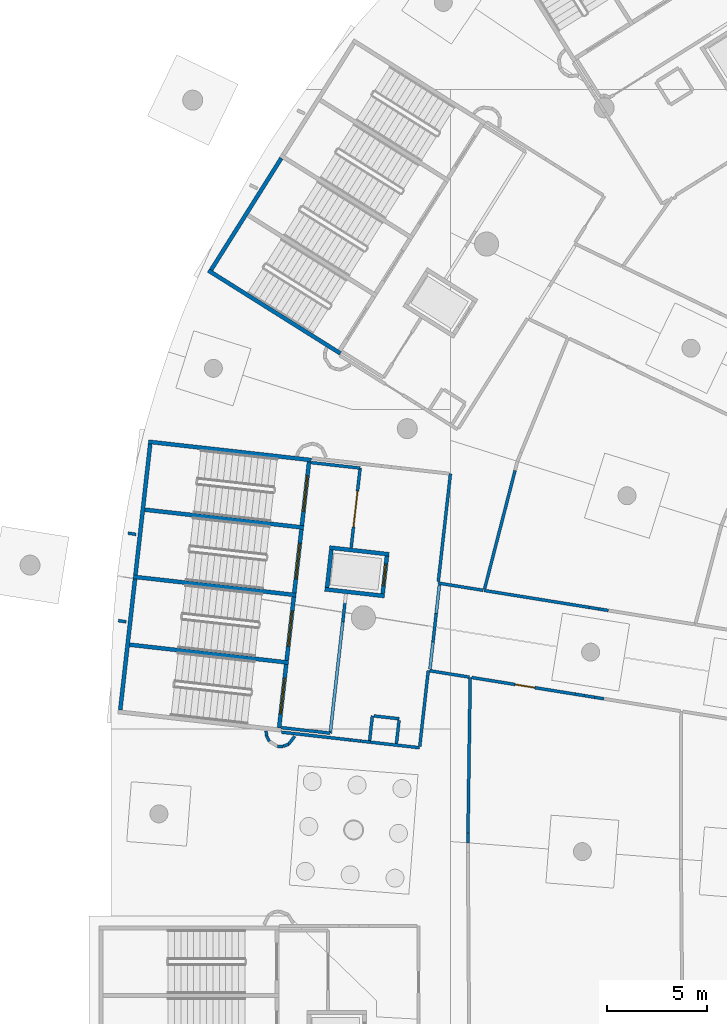
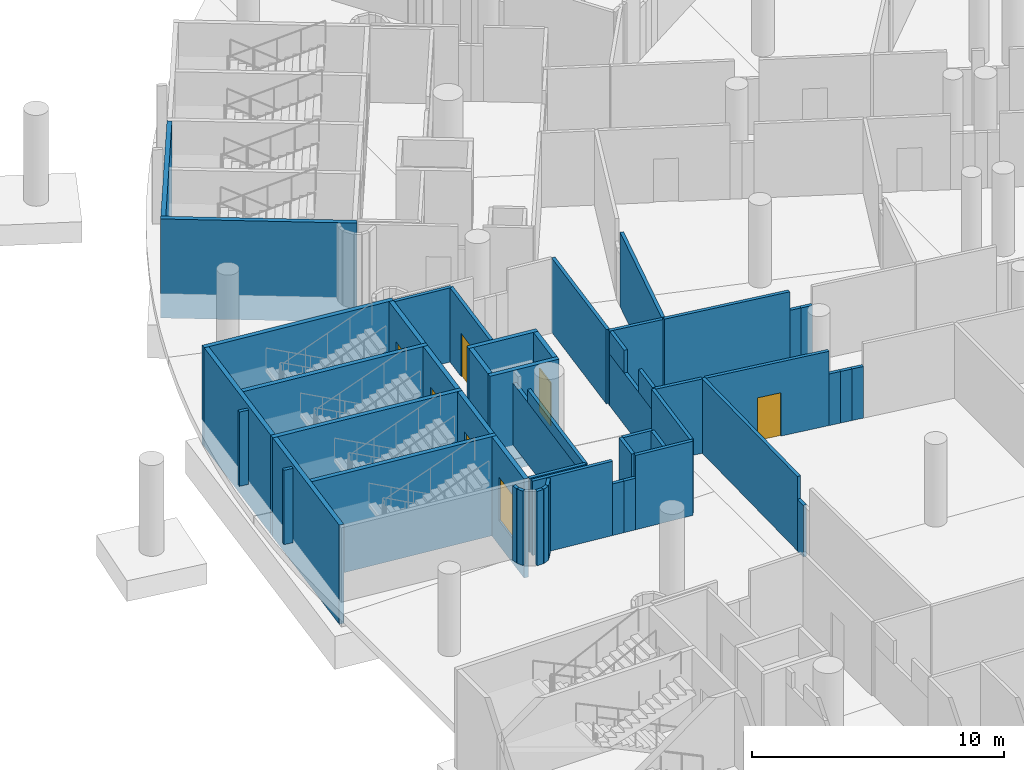
# One storey, part 68 of 142: 52 walls, 7 doors, 7 openings.
"""IFC4 building model written with IfcOpenShell, lengths in metres."""

from ifc_helpers import new_model, si_unit, direction, frame, frame_2d, origin, place, context, subcontext, project, spatial, rectangle, extrude, material, layer, layer_set, type_object, element, fill, save


model = new_model("IFC4")

# Units and contexts
model_context = context("Model", 3, precision=1e-05, world=origin(), true_north=direction((0.0, 1.0)))
body_context = subcontext(model_context, "Body", "Model", "MODEL_VIEW")
ifc_project = project(units=[si_unit("LENGTHUNIT", "METRE"), si_unit("AREAUNIT", "SQUARE_METRE"), si_unit("VOLUMEUNIT", "CUBIC_METRE"), si_unit("PLANEANGLEUNIT", "RADIAN"), si_unit("MASSUNIT", "GRAM", prefix="KILO")], contexts=[model_context])

# Site, building, storey
site_placement = place(None, origin())
site = spatial("IfcSite", under=ifc_project, at=site_placement, CompositionType="ELEMENT")
building_placement = place(site_placement, origin())
building = spatial("IfcBuilding", under=site, at=building_placement, Name="Meseta Stadium", CompositionType="ELEMENT")
storey_placement = place(building_placement, frame((0.0, 0.0, -4.0)))
storey = spatial("IfcBuildingStorey", under=building, at=storey_placement, Name="B1", CompositionType="ELEMENT", Elevation=-4.0)

# Walls
ifc_material_1 = material(Name="Concrete C40/50", Category="concrete")
ifc_layer_1 = layer(ifc_material_1, 0.199951171875)
ifc_layer_set_1 = layer_set([ifc_layer_1], Name="Core divider wall 200")
wall_type_1 = type_object("IfcWallType", Name="Core divider wall 200", PredefinedType="SHEAR", material=ifc_layer_set_1)
wall_1_placement = place(storey_placement, frame((-95.503662109375, 58.999267578125, -1.199951171875), z_axis=(0.0, 0.0, 1.0), x_axis=(0.993710792168, -0.111977058046, 0.0)))
element("IfcWall", 1, at=wall_1_placement, inside=storey, type_object=wall_type_1, Name="Core 15 B1 stair A divider wall", PredefinedType="SHEAR", context=body_context, shape_type="SweptSolid", body=[
    extrude(rectangle(XDim=8.199951171875, YDim=0.199951171875, at=frame_2d((4.10009765625, 0.0))), origin(), (0.0, 0.0, 1.0), 4.800048828125),
])
wall_2_placement = place(storey_placement, frame((-96.264892578125, 52.241943359375, -1.199951171875), z_axis=(0.0, 0.0, 1.0), x_axis=(0.993713731549, -0.111950970206, 0.0)))
element("IfcWall", 2, at=wall_2_placement, inside=storey, type_object=wall_type_1, Name="Core 15 B1 stair B divider wall", PredefinedType="SHEAR", context=body_context, shape_type="SweptSolid", body=[
    extrude(rectangle(XDim=8.19970703125, YDim=0.199951171875, at=frame_2d((4.099853515625, 0.0))), origin(), (0.0, 0.0, 1.0), 4.800048828125),
])
ifc_material_2 = material(Name="Concrete C40/50", Category="concrete")
ifc_layer_2 = layer(ifc_material_2, 0.199951171875)
ifc_layer_set_2 = layer_set([ifc_layer_2], Name="Core shaft wall 200")
wall_type_2 = type_object("IfcWallType", Name="Core shaft wall 200", PredefinedType="SHEAR", material=ifc_layer_set_2)
wall_3_placement = place(storey_placement, frame((-92.123291015625, 70.9501953125, -1.199951171875), z_axis=(0.0, 0.0, 1.0), x_axis=(0.846722763703, -0.532034361135, 0.0)))
element("IfcWall", 3, at=wall_3_placement, inside=storey, type_object=wall_type_2, Name="Core 14 B1 stair wall B-side", PredefinedType="SHEAR", context=body_context, shape_type="SweptSolid", body=[
    extrude(rectangle(XDim=7.800048828125, YDim=0.199951171875, at=frame_2d((3.89990234375, 0.0))), origin(), (0.0, 0.0, 1.0), 4.800048828125),
])
wall_4_placement = place(storey_placement, frame((-88.47412109375, 76.570068359375, -1.199951171875), z_axis=(0.0, 0.0, 1.0), x_axis=(-0.532038964807, -0.846719870989, 0.0)))
element("IfcWall", 4, at=wall_4_placement, inside=storey, type_object=wall_type_2, Name="Core 14 B1 stair B outer end wall", PredefinedType="SHEAR", context=body_context, shape_type="SweptSolid", body=[
    extrude(rectangle(XDim=6.60009765625, YDim=0.199951171875, at=frame_2d((3.300048828125, 0.0))), origin(), (0.0, 0.0, 1.0), 4.800048828125),
])
wall_5_placement = place(storey_placement, frame((-95.123046875, 62.3779296875, -1.199951171875), z_axis=(0.0, 0.0, 1.0), x_axis=(0.993710792168, -0.111977058046, 0.0)))
element("IfcWall", 5, at=wall_5_placement, inside=storey, type_object=wall_type_2, Name="Core 15 B1 stair wall A-side", PredefinedType="SHEAR", context=body_context, shape_type="SweptSolid", body=[
    extrude(rectangle(XDim=8.199951171875, YDim=0.199951171875, at=frame_2d((4.10009765625, 0.0))), origin(), (0.0, 0.0, 1.0), 4.800048828125),
])
wall_6_placement = place(storey_placement, frame((-95.884521484375, 55.62060546875, -1.199951171875), z_axis=(0.0, 0.0, 1.0), x_axis=(0.993711165474, -0.111973745194, 0.0)))
element("IfcWall", 6, at=wall_6_placement, inside=storey, type_object=wall_type_2, Name="Core 15 B1 stair wall shared", PredefinedType="SHEAR", context=body_context, shape_type="SweptSolid", body=[
    extrude(rectangle(XDim=8.2001953125, YDim=0.199951171875, at=frame_2d((4.10009765625, 0.0))), origin(), (0.0, 0.0, 1.0), 4.800048828125),
])
for number, where, z_axis, x_axis, name in (
    (7, (-95.034912109375, 62.267333984375, -1.199951171875), (0.0, 0.0, 1.0), (-0.111933579504, -0.993715690617, 0.0), "Core 15 B1 stair A outer end wall"),
    (8, (-95.796142578125, 55.510009765625, -1.199951171875), (0.0, 0.0, 1.0), (-0.111970106426, -0.993711575492, 0.0), "Core 15 B1 stair B outer end wall"),
):
    element("IfcWall", number, at=place(storey_placement, frame(where, z_axis=z_axis, x_axis=x_axis)), inside=storey, type_object=wall_type_2, Name=name, PredefinedType="SHEAR", context=body_context, shape_type="SweptSolid", body=[
        extrude(rectangle(XDim=6.60009765625, YDim=0.199951171875, at=frame_2d((3.300048828125, 0.0))), origin(), (0.0, 0.0, 1.0), 4.800048828125),
    ])

# Wall, opening, door
wall_7_placement = place(storey_placement, frame((-87.085205078125, 61.37158203125, -1.199951171875), z_axis=(0.0, 0.0, 1.0), x_axis=(-0.11192190762, -0.993717005286, 0.0)))
wall_7 = element("IfcWall", 9, at=wall_7_placement, inside=storey, type_object=wall_type_2, Name="Core 15 B1 stair A1 inner end wall", PredefinedType="SHEAR", context=body_context, shape_type="SweptSolid", body=[
    extrude(rectangle(XDim=3.199951171875, YDim=0.199951171875, at=frame_2d((1.60009765625, 0.0))), origin(), (0.0, 0.0, 1.0), 4.800048828125),
])
opening_1_placement = place(wall_7_placement, frame((0.699951171875, 0.0, 1.199951171875)))
opening_1 = element("IfcOpeningElement", 10, at=opening_1_placement, cuts=wall_7, Name="Opening D199", PredefinedType="OPENING", context=body_context, shape_type="SweptSolid", body=[
    extrude(rectangle(XDim=1.800048828125, YDim=2.10009765625, at=frame_2d((0.89990234375, 1.050048828125))), frame((0.0, 0.10986328125, 0.0), z_axis=(0.0, -1.0, 0.0), x_axis=(1.0, 0.0, 0.0)), (0.0, 0.0, 1.0), 0.219970703125),
])
ifc_material_3 = material(Name="Steel", Category="steel")
door_type_1 = type_object("IfcDoorType", Name="Stair door 1800x2100", OperationType="DOUBLE_DOOR_SINGLE_SWING", PredefinedType="DOOR", material=ifc_material_3)
door_1_placement = place(opening_1_placement, origin())
door_1 = element("IfcDoor", 11, at=door_1_placement, inside=storey, type_object=door_type_1, Name="Stair A1 door 15 B1", OperationType="DOUBLE_DOOR_SINGLE_SWING", OverallHeight=2.10009765625, OverallWidth=1.800048828125, PredefinedType="DOOR", context=body_context, shape_type="SweptSolid", body=[
    extrude(rectangle(XDim=1.800048828125, YDim=2.10009765625, at=frame_2d((0.89990234375, 1.050048828125))), frame((0.0, 0.02490234375, 0.0), z_axis=(0.0, -1.0, 0.0), x_axis=(1.0, 0.0, 0.0)), (0.0, 0.0, 1.0), 0.050048828125),
])
fill(opening_1, door_1)

wall_8_placement = place(storey_placement, frame((-87.4658203125, 57.992919921875, -1.199951171875), z_axis=(0.0, 0.0, 1.0), x_axis=(-0.111997244021, -0.993708517288, 0.0)))
wall_8 = element("IfcWall", 12, at=wall_8_placement, inside=storey, type_object=wall_type_2, Name="Core 15 B1 stair A2 inner end wall", PredefinedType="SHEAR", context=body_context, shape_type="SweptSolid", body=[
    extrude(rectangle(XDim=3.199951171875, YDim=0.199951171875, at=frame_2d((1.60009765625, 0.0))), origin(), (0.0, 0.0, 1.0), 4.800048828125),
])
opening_2_placement = place(wall_8_placement, frame((0.699951171875, 0.0, 1.199951171875)))
opening_2 = element("IfcOpeningElement", 13, at=opening_2_placement, cuts=wall_8, Name="Opening D200", PredefinedType="OPENING", context=body_context, shape_type="SweptSolid", body=[
    extrude(rectangle(XDim=1.800048828125, YDim=2.10009765625, at=frame_2d((0.89990234375, 1.050048828125))), frame((0.0, 0.10986328125, 0.0), z_axis=(0.0, -1.0, 0.0), x_axis=(1.0, 0.0, 0.0)), (0.0, 0.0, 1.0), 0.219970703125),
])
door_2_placement = place(opening_2_placement, origin())
door_2 = element("IfcDoor", 14, at=door_2_placement, inside=storey, type_object=door_type_1, Name="Stair A2 door 15 B1", OperationType="DOUBLE_DOOR_SINGLE_SWING", OverallHeight=2.10009765625, OverallWidth=1.800048828125, PredefinedType="DOOR", context=body_context, shape_type="SweptSolid", body=[
    extrude(rectangle(XDim=1.800048828125, YDim=2.10009765625, at=frame_2d((0.89990234375, 1.050048828125))), frame((0.0, 0.02490234375, 0.0), z_axis=(0.0, -1.0, 0.0), x_axis=(1.0, 0.0, 0.0)), (0.0, 0.0, 1.0), 0.050048828125),
])
fill(opening_2, door_2)

wall_9_placement = place(storey_placement, frame((-87.846435546875, 54.6142578125, -1.199951171875), z_axis=(0.0, 0.0, 1.0), x_axis=(-0.112005735442, -0.993707560215, 0.0)))
wall_9 = element("IfcWall", 15, at=wall_9_placement, inside=storey, type_object=wall_type_2, Name="Core 15 B1 stair B1 inner end wall", PredefinedType="SHEAR", context=body_context, shape_type="SweptSolid", body=[
    extrude(rectangle(XDim=3.19970703125, YDim=0.199951171875, at=frame_2d((1.599853515625, 0.0))), origin(), (0.0, 0.0, 1.0), 4.800048828125),
])
opening_3_placement = place(wall_9_placement, frame((0.699951171875, 0.0, 1.199951171875)))
opening_3 = element("IfcOpeningElement", 16, at=opening_3_placement, cuts=wall_9, Name="Opening D201", PredefinedType="OPENING", context=body_context, shape_type="SweptSolid", body=[
    extrude(rectangle(XDim=1.800048828125, YDim=2.10009765625, at=frame_2d((0.89990234375, 1.050048828125))), frame((0.0, 0.10986328125, 0.0), z_axis=(0.0, -1.0, 0.0), x_axis=(1.0, 0.0, 0.0)), (0.0, 0.0, 1.0), 0.219970703125),
])
door_3_placement = place(opening_3_placement, origin())
door_3 = element("IfcDoor", 17, at=door_3_placement, inside=storey, type_object=door_type_1, Name="Stair B1 door 15 B1", OperationType="DOUBLE_DOOR_SINGLE_SWING", OverallHeight=2.10009765625, OverallWidth=1.800048828125, PredefinedType="DOOR", context=body_context, shape_type="SweptSolid", body=[
    extrude(rectangle(XDim=1.800048828125, YDim=2.10009765625, at=frame_2d((0.89990234375, 1.050048828125))), frame((0.0, 0.02490234375, 0.0), z_axis=(0.0, -1.0, 0.0), x_axis=(1.0, 0.0, 0.0)), (0.0, 0.0, 1.0), 0.050048828125),
])
fill(opening_3, door_3)

wall_10_placement = place(storey_placement, frame((-88.227294921875, 51.235595703125, -1.199951171875), z_axis=(0.0, 0.0, 1.0), x_axis=(-0.111930393474, -0.993716049491, 0.0)))
wall_10 = element("IfcWall", 18, at=wall_10_placement, inside=storey, type_object=wall_type_2, Name="Core 15 B1 stair B2 inner end wall", PredefinedType="SHEAR", context=body_context, shape_type="SweptSolid", body=[
    extrude(rectangle(XDim=3.19970703125, YDim=0.199951171875, at=frame_2d((1.599853515625, 0.0))), origin(), (0.0, 0.0, 1.0), 4.800048828125),
])
opening_4_placement = place(wall_10_placement, frame((0.699951171875, 0.0, 1.199951171875)))
opening_4 = element("IfcOpeningElement", 19, at=opening_4_placement, cuts=wall_10, Name="Opening D202", PredefinedType="OPENING", context=body_context, shape_type="SweptSolid", body=[
    extrude(rectangle(XDim=1.800048828125, YDim=2.10009765625, at=frame_2d((0.89990234375, 1.050048828125))), frame((0.0, 0.10986328125, 0.0), z_axis=(0.0, -1.0, 0.0), x_axis=(1.0, 0.0, 0.0)), (0.0, 0.0, 1.0), 0.219970703125),
])
door_4_placement = place(opening_4_placement, origin())
door_4 = element("IfcDoor", 20, at=door_4_placement, inside=storey, type_object=door_type_1, Name="Stair B2 door 15 B1", OperationType="DOUBLE_DOOR_SINGLE_SWING", OverallHeight=2.10009765625, OverallWidth=1.800048828125, PredefinedType="DOOR", context=body_context, shape_type="SweptSolid", body=[
    extrude(rectangle(XDim=1.800048828125, YDim=2.10009765625, at=frame_2d((0.89990234375, 1.050048828125))), frame((0.0, 0.02490234375, 0.0), z_axis=(0.0, -1.0, 0.0), x_axis=(1.0, 0.0, 0.0)), (0.0, 0.0, 1.0), 0.050048828125),
])
fill(opening_4, door_4)

# Walls
for number, where, z_axis, x_axis, name in (
    (21, (-86.05908203125, 57.07958984375, -1.199951171875), (0.0, 0.0, 1.0), (0.993718878013, -0.111905279056, 0.0), "Core 15 B1 lift shaft wall left"),
    (22, (-86.294189453125, 54.992919921875, -1.199951171875), (0.0, 0.0, 1.0), (0.993709824566, -0.111985644439, 0.0), "Core 15 B1 lift shaft wall right"),
):
    element("IfcWall", number, at=place(storey_placement, frame(where, z_axis=z_axis, x_axis=x_axis)), inside=storey, type_object=wall_type_2, Name=name, PredefinedType="SHEAR", context=body_context, shape_type="SweptSolid", body=[
        extrude(rectangle(XDim=2.999755859375, YDim=0.199951171875, at=frame_2d((1.5, 0.0))), origin(), (0.0, 0.0, 1.0), 4.800048828125),
    ])
wall_11_placement = place(storey_placement, frame((-85.970947265625, 56.96923828125, -1.199951171875), z_axis=(0.0, 0.0, 1.0), x_axis=(-0.112039012324, -0.993703808847, 0.0)))
element("IfcWall", 23, at=wall_11_placement, inside=storey, type_object=wall_type_2, Name="Core 15 B1 lift shaft back wall", PredefinedType="SHEAR", context=body_context, shape_type="SweptSolid", body=[
    extrude(rectangle(XDim=1.900146484375, YDim=0.199951171875, at=frame_2d((0.9501953125, 0.0))), origin(), (0.0, 0.0, 1.0), 4.800048828125),
])

# Wall, opening, door
wall_12_placement = place(storey_placement, frame((-83.188720703125, 56.65576171875, -1.199951171875), z_axis=(0.0, 0.0, 1.0), x_axis=(-0.11191213732, -0.993718105662, 0.0)))
wall_12 = element("IfcWall", 24, at=wall_12_placement, inside=storey, type_object=wall_type_2, Name="Core 15 B1 lift shaft front wall", PredefinedType="SHEAR", context=body_context, shape_type="SweptSolid", body=[
    extrude(rectangle(XDim=1.900146484375, YDim=0.199951171875, at=frame_2d((0.9501953125, 0.0))), origin(), (0.0, 0.0, 1.0), 4.800048828125),
])
opening_5_placement = place(wall_12_placement, frame((0.39990234375, 0.0, 1.199951171875)))
opening_5 = element("IfcOpeningElement", 25, at=opening_5_placement, cuts=wall_12, Name="Opening LD79", PredefinedType="OPENING", context=body_context, shape_type="SweptSolid", body=[
    extrude(rectangle(XDim=1.10009765625, YDim=2.10009765625, at=frame_2d((0.550048828125, 1.050048828125))), frame((0.0, 0.10986328125, 0.0), z_axis=(0.0, -1.0, 0.0), x_axis=(1.0, 0.0, 0.0)), (0.0, 0.0, 1.0), 0.219970703125),
])
ifc_material_4 = material(Name="Steel", Category="steel")
door_type_2 = type_object("IfcDoorType", Name="Lift landing door 1100x2100", OperationType="SLIDING_TO_LEFT", PredefinedType="DOOR", material=ifc_material_4)
door_5_placement = place(opening_5_placement, origin())
door_5 = element("IfcDoor", 26, at=door_5_placement, inside=storey, type_object=door_type_2, Name="Lift landing door LD79", OperationType="SLIDING_TO_LEFT", OverallHeight=2.10009765625, OverallWidth=1.10009765625, PredefinedType="DOOR", context=body_context, shape_type="SweptSolid", body=[
    extrude(rectangle(XDim=1.10009765625, YDim=2.10009765625, at=frame_2d((0.550048828125, 1.050048828125))), frame((0.0, 0.02490234375, 0.0), z_axis=(0.0, -1.0, 0.0), x_axis=(1.0, 0.0, 0.0)), (0.0, 0.0, 1.0), 0.050048828125),
])
fill(opening_5, door_5)

# Walls
ifc_material_5 = material(Name="Masonry blockwork", Category="masonry")
ifc_layer_3 = layer(ifc_material_5, 0.14990234375)
ifc_layer_set_3 = layer_set([ifc_layer_3], Name="Partition 150")
wall_type_3 = type_object("IfcWallType", Name="Partition 150", PredefinedType="PARTITIONING", material=ifc_layer_set_3)
wall_13_placement = place(storey_placement, frame((-72.106201171875, 53.932861328125, 0.0), z_axis=(0.0, 0.0, 1.0), x_axis=(-0.987292235335, 0.15891520395, 0.0)))
element("IfcWall", 27, at=wall_13_placement, inside=storey, type_object=wall_type_3, Name="Partition B1 B1-cell13-2-0", PredefinedType="PARTITIONING", context=body_context, shape_type="SweptSolid", body=[
    extrude(rectangle(XDim=0.48388671875, YDim=0.14990234375, at=frame_2d((0.241943359375, 0.0))), origin(), (0.0, 0.0, 1.0), 2.699951171875),
])
wall_14_placement = place(storey_placement, frame((-72.583984375, 54.009765625, 0.0), z_axis=(0.0, 0.0, 1.0), x_axis=(-0.987225775326, 0.159327551074, 0.0)))
element("IfcWall", 28, at=wall_14_placement, inside=storey, type_object=wall_type_3, Name="Partition B1 B1-cell13-2-0", PredefinedType="PARTITIONING", context=body_context, shape_type="SweptSolid", body=[
    extrude(rectangle(XDim=0.484130859375, YDim=0.14990234375, at=frame_2d((0.2421875, 0.0))), origin(), (0.0, 0.0, 1.0), 2.699951171875),
])
wall_15_placement = place(storey_placement, frame((-73.06201171875, 54.0869140625, 0.0), z_axis=(0.0, 0.0, 1.0), x_axis=(-0.987277597681, 0.159006116601, 0.0)))
element("IfcWall", 29, at=wall_15_placement, inside=storey, type_object=wall_type_3, Name="Partition B1 B1-cell13-2-0", PredefinedType="PARTITIONING", context=body_context, shape_type="SweptSolid", body=[
    extrude(rectangle(XDim=5.32470703125, YDim=0.14990234375, at=frame_2d((2.662353515625, 0.0))), origin(), (0.0, 0.0, 1.0), 3.60009765625),
])
wall_16_placement = place(storey_placement, frame((-78.300537109375, 55.00634765625, 0.0), z_axis=(0.0, 0.0, 1.0), x_axis=(0.249144697435, 0.968466271865, 0.0)))
element("IfcWall", 30, at=wall_16_placement, inside=storey, type_object=wall_type_3, Name="Partition B1 B1-cell13-2-0", PredefinedType="PARTITIONING", context=body_context, shape_type="SweptSolid", body=[
    extrude(rectangle(XDim=6.12255859375, YDim=0.14990234375, at=frame_2d((3.061279296875, 0.0))), origin(), (0.0, 0.0, 1.0), 3.60009765625),
])
wall_17_placement = place(storey_placement, frame((-95.74609375, 57.740234375, 0.0), z_axis=(0.0, 0.0, 1.0), x_axis=(-0.987315049766, 0.15877339987, 0.0)))
element("IfcWall", 31, at=wall_17_placement, inside=storey, type_object=wall_type_3, Name="Partition B1 B1-cell13-3-0", PredefinedType="PARTITIONING", context=body_context, shape_type="SweptSolid", body=[
    extrude(rectangle(XDim=0.4013671875, YDim=0.14990234375, at=frame_2d((0.20068359375, 0.0))), origin(), (0.0, 0.0, 1.0), 3.60009765625),
])
wall_18_placement = place(storey_placement, frame((-78.36865234375, 54.94140625, 0.0), z_axis=(0.0, 0.0, 1.0), x_axis=(-0.987271996108, 0.15904089317, 0.0)))
element("IfcWall", 32, at=wall_18_placement, inside=storey, type_object=wall_type_3, Name="Partition B1 B1-cell13-3-0", PredefinedType="PARTITIONING", context=body_context, shape_type="SweptSolid", body=[
    extrude(rectangle(XDim=2.2841796875, YDim=0.14990234375, at=frame_2d((1.14208984375, 0.0))), origin(), (0.0, 0.0, 1.0), 3.60009765625),
])
wall_19_placement = place(storey_placement, frame((-80.615478515625, 55.379150390625, 0.0), z_axis=(0.0, 0.0, 1.0), x_axis=(0.111990669248, 0.993709258285, 0.0)))
element("IfcWall", 33, at=wall_19_placement, inside=storey, type_object=wall_type_3, Name="Partition B1 B1-cell13-3-0", PredefinedType="PARTITIONING", context=body_context, shape_type="SweptSolid", body=[
    extrude(rectangle(XDim=5.430419921875, YDim=0.14990234375, at=frame_2d((2.71533203125, 0.0))), origin(), (0.0, 0.0, 1.0), 3.60009765625),
])
wall_20_placement = place(storey_placement, frame((-79.1376953125, 42.30224609375, 0.0), z_axis=(0.0, 0.0, 1.0), x_axis=(0.014019653558, 0.999901719828, 0.0)))
element("IfcWall", 34, at=wall_20_placement, inside=storey, type_object=wall_type_3, Name="Partition B1 B1-cell14-2-0", PredefinedType="PARTITIONING", context=body_context, shape_type="SweptSolid", body=[
    extrude(rectangle(XDim=0.487548828125, YDim=0.14990234375, at=frame_2d((0.24365234375, 0.0))), origin(), (0.0, 0.0, 1.0), 2.5),
])
wall_21_placement = place(storey_placement, frame((-79.130859375, 42.789794921875, 0.0), z_axis=(0.0, 0.0, 1.0), x_axis=(0.014366063558, 0.999896802784, 0.0)))
element("IfcWall", 35, at=wall_21_placement, inside=storey, type_object=wall_type_3, Name="Partition B1 B1-cell14-2-0", PredefinedType="PARTITIONING", context=body_context, shape_type="SweptSolid", body=[
    extrude(rectangle(XDim=7.80029296875, YDim=0.14990234375, at=frame_2d((3.900146484375, 0.0))), origin(), (0.0, 0.0, 1.0), 3.60009765625),
])

# Wall, opening, door
wall_22_placement = place(storey_placement, frame((-78.944091796875, 50.577392578125, 0.0), z_axis=(0.0, 0.0, 1.0), x_axis=(0.98727553228, -0.159018940258, 0.0)))
wall_22 = element("IfcWall", 36, at=wall_22_placement, inside=storey, type_object=wall_type_3, Name="Partition B1 B1-cell14-2-0", PredefinedType="PARTITIONING", context=body_context, shape_type="SweptSolid", body=[
    extrude(rectangle(XDim=5.249267578125, YDim=0.14990234375, at=frame_2d((2.62451171875, 0.0))), origin(), (0.0, 0.0, 1.0), 3.60009765625),
])
opening_6_placement = place(wall_22_placement, frame((2.199951171875, 0.0, 0.0)))
opening_6 = element("IfcOpeningElement", 37, at=opening_6_placement, cuts=wall_22, Name="Opening D474", PredefinedType="OPENING", context=body_context, shape_type="SweptSolid", body=[
    extrude(rectangle(XDim=1.0, YDim=2.10009765625, at=frame_2d((0.5, 1.050048828125))), frame((0.0, 0.0849609375, 0.0), z_axis=(0.0, -1.0, 0.0), x_axis=(1.0, 0.0, 0.0)), (0.0, 0.0, 1.0), 0.169921875),
])
ifc_material_6 = material(Name="Steel", Category="steel")
door_type_3 = type_object("IfcDoorType", Name="Fire door 1000x2100 EI2 60", OperationType="NOTDEFINED", PredefinedType="DOOR", material=ifc_material_6)
door_6_placement = place(opening_6_placement, origin())
door_6 = element("IfcDoor", 38, at=door_6_placement, inside=storey, type_object=door_type_3, Name="Door D474", OperationType="SINGLE_SWING_RIGHT", OverallHeight=2.10009765625, OverallWidth=1.0, PredefinedType="DOOR", context=body_context, shape_type="SweptSolid", body=[
    extrude(rectangle(XDim=1.0, YDim=2.10009765625, at=frame_2d((0.5, 1.050048828125))), frame((0.0, 0.02490234375, 0.0), z_axis=(0.0, -1.0, 0.0), x_axis=(1.0, 0.0, 0.0)), (0.0, 0.0, 1.0), 0.050048828125),
])
fill(opening_6, door_6)

# Walls
for number, where, z_axis, x_axis, name in (
    (39, (-73.76171875, 49.74267578125, 0.0), (0.0, 0.0, 1.0), (0.987304966303, -0.158836090085, 0.0), "Partition B1 B1-cell14-2-0"),
    (40, (-73.28369140625, 49.665771484375, 0.0), (0.0, 0.0, 1.0), (0.987304966303, -0.158836090085, 0.0), "Partition B1 B1-cell14-2-0"),
):
    element("IfcWall", number, at=place(storey_placement, frame(where, z_axis=z_axis, x_axis=x_axis)), inside=storey, type_object=wall_type_3, Name=name, PredefinedType="PARTITIONING", context=body_context, shape_type="SweptSolid", body=[
        extrude(rectangle(XDim=0.484130859375, YDim=0.14990234375, at=frame_2d((0.2421875, 0.0))), origin(), (0.0, 0.0, 1.0), 2.5),
    ])
wall_23_placement = place(storey_placement, frame((-72.8056640625, 49.5888671875, 0.0), z_axis=(0.0, 0.0, 1.0), x_axis=(0.987212966483, -0.15940689699, 0.0)))
element("IfcWall", 41, at=wall_23_placement, inside=storey, type_object=wall_type_3, Name="Partition B1 B1-cell14-2-0", PredefinedType="PARTITIONING", context=body_context, shape_type="SweptSolid", body=[
    extrude(rectangle(XDim=0.48388671875, YDim=0.14990234375, at=frame_2d((0.241943359375, 0.0))), origin(), (0.0, 0.0, 1.0), 2.5),
])
wall_24_placement = place(storey_placement, frame((-96.63134765625, 53.426025390625, 0.0), z_axis=(0.0, 0.0, 1.0), x_axis=(0.987228641095, -0.159309793174, 0.0)))
element("IfcWall", 42, at=wall_24_placement, inside=storey, type_object=wall_type_3, Name="Partition B1 B1-cell14-3-0", PredefinedType="PARTITIONING", context=body_context, shape_type="SweptSolid", body=[
    extrude(rectangle(XDim=0.39697265625, YDim=0.14990234375, at=frame_2d((0.198486328125, 0.0))), origin(), (0.0, 0.0, 1.0), 3.60009765625),
])
wall_25_placement = place(storey_placement, frame((-88.46875, 47.84130859375, 0.0), z_axis=(0.0, 0.0, 1.0), x_axis=(0.993720107873, -0.111894357364, 0.0)))
element("IfcWall", 43, at=wall_25_placement, inside=storey, type_object=wall_type_3, Name="Partition B1 B1-cell14-3-0", PredefinedType="PARTITIONING", context=body_context, shape_type="SweptSolid", body=[
    extrude(rectangle(XDim=3.480224609375, YDim=0.14990234375, at=frame_2d((1.740234375, 0.0))), origin(), (0.0, 0.0, 1.0), 3.60009765625),
])
for number, where, z_axis, x_axis, name in (
    (44, (-85.010498046875, 47.451904296875, 0.0), (0.0, 0.0, 1.0), (0.99365400415, -0.112479865027, 0.0), "Partition B1 B1-cell14-3-0"),
    (45, (-84.5166015625, 47.39599609375, 0.0), (0.0, 0.0, 1.0), (0.99376333691, -0.111509776312, 0.0), "Partition B1 B1-cell14-3-0"),
):
    element("IfcWall", number, at=place(storey_placement, frame(where, z_axis=z_axis, x_axis=x_axis)), inside=storey, type_object=wall_type_3, Name=name, PredefinedType="PARTITIONING", context=body_context, shape_type="SweptSolid", body=[
        extrude(rectangle(XDim=0.4970703125, YDim=0.14990234375, at=frame_2d((0.24853515625, 0.0))), origin(), (0.0, 0.0, 1.0), 2.5),
    ])
wall_26_placement = place(storey_placement, frame((-84.022705078125, 47.340576171875, 0.0), z_axis=(0.0, 0.0, 1.0), x_axis=(0.993701549417, -0.112059049998, 0.0)))
element("IfcWall", 46, at=wall_26_placement, inside=storey, type_object=wall_type_3, Name="Partition B1 B1-cell14-3-0", PredefinedType="PARTITIONING", context=body_context, shape_type="SweptSolid", body=[
    extrude(rectangle(XDim=2.48583984375, YDim=0.14990234375, at=frame_2d((1.242919921875, 0.0))), origin(), (0.0, 0.0, 1.0), 3.60009765625),
])
wall_27_placement = place(storey_placement, frame((-81.544189453125, 47.13671875, 0.0), z_axis=(0.0, 0.0, 1.0), x_axis=(0.111997797138, 0.993708454949, 0.0)))
element("IfcWall", 47, at=wall_27_placement, inside=storey, type_object=wall_type_3, Name="Partition B1 B1-cell14-3-0", PredefinedType="PARTITIONING", context=body_context, shape_type="SweptSolid", body=[
    extrude(rectangle(XDim=3.814697265625, YDim=0.14990234375, at=frame_2d((1.9072265625, 0.0))), origin(), (0.0, 0.0, 1.0), 3.60009765625),
])
wall_28_placement = place(storey_placement, frame((-81.042724609375, 50.915283203125, 0.0), z_axis=(0.0, 0.0, 1.0), x_axis=(0.987289357967, -0.158933079139, 0.0)))
element("IfcWall", 48, at=wall_28_placement, inside=storey, type_object=wall_type_3, Name="Partition B1 B1-cell14-3-0", PredefinedType="PARTITIONING", context=body_context, shape_type="SweptSolid", body=[
    extrude(rectangle(XDim=2.0, YDim=0.14990234375, at=frame_2d((1.0, 0.0))), origin(), (0.0, 0.0, 1.0), 3.60009765625),
])
wall_29_placement = place(storey_placement, frame((-83.913330078125, 48.66162109375, 0.0), z_axis=(0.0, 0.0, 1.0), x_axis=(-0.111804424032, -0.993730230378, 0.0)))
element("IfcWall", 49, at=wall_29_placement, inside=storey, type_object=wall_type_3, Name="Pressurisation shaft wall B1 core 15", PredefinedType="PARTITIONING", context=body_context, shape_type="SweptSolid", body=[
    extrude(rectangle(XDim=1.2490234375, YDim=0.14990234375, at=frame_2d((0.62451171875, 0.0))), origin(), (0.0, 0.0, 1.0), 3.60009765625),
])
wall_30_placement = place(storey_placement, frame((-82.711669921875, 47.269287109375, 0.0), z_axis=(0.0, 0.0, 1.0), x_axis=(0.112097694808, 0.993697190707, 0.0)))
element("IfcWall", 50, at=wall_30_placement, inside=storey, type_object=wall_type_3, Name="Pressurisation shaft wall B1 core 15", PredefinedType="PARTITIONING", context=body_context, shape_type="SweptSolid", body=[
    extrude(rectangle(XDim=1.173828125, YDim=0.14990234375, at=frame_2d((0.5869140625, 0.0))), origin(), (0.0, 0.0, 1.0), 3.60009765625),
])
wall_31_placement = place(storey_placement, frame((-82.57177734375, 48.510498046875, 0.0), z_axis=(0.0, 0.0, 1.0), x_axis=(-0.993726262285, 0.111839687257, 0.0)))
element("IfcWall", 51, at=wall_31_placement, inside=storey, type_object=wall_type_3, Name="Pressurisation shaft wall B1 core 15", PredefinedType="PARTITIONING", context=body_context, shape_type="SweptSolid", body=[
    extrude(rectangle(XDim=1.27490234375, YDim=0.14990234375, at=frame_2d((0.637451171875, 0.0))), origin(), (0.0, 0.0, 1.0), 3.60009765625),
])
wall_32_placement = place(storey_placement, frame((-88.473388671875, 48.068359375, 0.0), z_axis=(0.0, 0.0, 1.0), x_axis=(0.993707363865, -0.11200747743, 0.0)))
element("IfcWall", 52, at=wall_32_placement, inside=storey, type_object=wall_type_3, Name="Stair vestibule wall B1 core 15", PredefinedType="PARTITIONING", context=body_context, shape_type="SweptSolid", body=[
    extrude(rectangle(XDim=2.46533203125, YDim=0.14990234375, at=frame_2d((1.232666015625, 0.0))), origin(), (0.0, 0.0, 1.0), 3.60009765625),
])
wall_33_placement = place(storey_placement, frame((-86.023681640625, 47.792236328125, 0.0), z_axis=(0.0, 0.0, 1.0), x_axis=(0.111959305618, 0.993712792453, 0.0)))
element("IfcWall", 53, at=wall_33_placement, inside=storey, type_object=wall_type_3, Name="Stair vestibule wall B1 core 15", PredefinedType="PARTITIONING", context=body_context, shape_type="SweptSolid", body=[
    extrude(rectangle(XDim=7.01513671875, YDim=0.14990234375, at=frame_2d((3.507568359375, 0.0))), origin(), (0.0, 0.0, 1.0), 3.0),
])
wall_34_placement = place(storey_placement, frame((-86.023681640625, 47.792236328125, 3.0), z_axis=(0.0, 0.0, 1.0), x_axis=(0.111935466468, 0.993715478065, 0.0)))
element("IfcWall", 54, at=wall_34_placement, inside=storey, type_object=wall_type_3, Name="Stair vestibule wall B1 core 15", PredefinedType="PARTITIONING", context=body_context, shape_type="SweptSolid", body=[
    extrude(rectangle(XDim=5.61181640625, YDim=0.14990234375, at=frame_2d((2.805908203125, 0.0))), origin(), (0.0, 0.0, 1.0), 0.60009765625),
])

# Wall, opening, door
wall_35_placement = place(storey_placement, frame((-84.978515625, 57.068603515625, 0.0), z_axis=(0.0, 0.0, 1.0), x_axis=(0.111946391471, 0.993714247375, 0.0)))
wall_35 = element("IfcWall", 55, at=wall_35_placement, inside=storey, type_object=wall_type_3, Name="Stair vestibule wall B1 core 15", PredefinedType="PARTITIONING", context=body_context, shape_type="SweptSolid", body=[
    extrude(rectangle(XDim=4.014892578125, YDim=0.14990234375, at=frame_2d((2.00732421875, 0.0))), origin(), (0.0, 0.0, 1.0), 3.60009765625),
])
opening_7_placement = place(wall_35_placement, frame((1.050048828125, 0.0, 0.0)))
opening_7 = element("IfcOpeningElement", 56, at=opening_7_placement, cuts=wall_35, Name="Opening D729", PredefinedType="OPENING", context=body_context, shape_type="SweptSolid", body=[
    extrude(rectangle(XDim=1.800048828125, YDim=2.10009765625, at=frame_2d((0.89990234375, 1.050048828125))), frame((0.0, 0.0849609375, 0.0), z_axis=(0.0, -1.0, 0.0), x_axis=(1.0, 0.0, 0.0)), (0.0, 0.0, 1.0), 0.169921875),
])
ifc_material_7 = material(Name="Steel", Category="steel")
door_type_4 = type_object("IfcDoorType", Name="Fire double door 1800x2100 EI2 60", OperationType="DOUBLE_DOOR_SINGLE_SWING", PredefinedType="DOOR", material=ifc_material_7)
door_7_placement = place(opening_7_placement, origin())
door_7 = element("IfcDoor", 57, at=door_7_placement, inside=storey, type_object=door_type_4, Name="Stair vestibule door B1 core 15", OperationType="DOUBLE_DOOR_SINGLE_SWING", OverallHeight=2.10009765625, OverallWidth=1.800048828125, PredefinedType="DOOR", context=body_context, shape_type="SweptSolid", body=[
    extrude(rectangle(XDim=1.800048828125, YDim=2.10009765625, at=frame_2d((0.89990234375, 1.050048828125))), frame((0.0, 0.02490234375, 0.0), z_axis=(0.0, -1.0, 0.0), x_axis=(1.0, 0.0, 0.0)), (0.0, 0.0, 1.0), 0.050048828125),
])
fill(opening_7, door_7)

# Walls
wall_36_placement = place(storey_placement, frame((-84.529052734375, 61.058349609375, 0.0), z_axis=(0.0, 0.0, 1.0), x_axis=(-0.993706121233, 0.112018501257, 0.0)))
element("IfcWall", 58, at=wall_36_placement, inside=storey, type_object=wall_type_3, Name="Stair vestibule wall B1 core 15", PredefinedType="PARTITIONING", context=body_context, shape_type="SweptSolid", body=[
    extrude(rectangle(XDim=2.465087890625, YDim=0.14990234375, at=frame_2d((1.232421875, 0.0))), origin(), (0.0, 0.0, 1.0), 3.60009765625),
])
wall_37_placement = place(storey_placement, frame((-89.23681640625, 47.8994140625, 0.0), z_axis=(0.0, 0.0, 1.0), x_axis=(0.120303078009, -0.992737210656, 0.0)))
element("IfcWall", 59, at=wall_37_placement, inside=storey, type_object=wall_type_3, Name="Stair vestibule wall B1 core 15", PredefinedType="PARTITIONING", context=body_context, shape_type="SweptSolid", body=[
    extrude(rectangle(XDim=0.2578125, YDim=0.14990234375, at=frame_2d((0.12890625, 0.0))), origin(), (0.0, 0.0, 1.0), 3.60009765625),
])
wall_38_placement = place(storey_placement, frame((-89.205810546875, 47.6435546875, 0.0), z_axis=(0.0, 0.0, 1.0), x_axis=(0.458707712007, -0.888587212909, 0.0)))
element("IfcWall", 60, at=wall_38_placement, inside=storey, type_object=wall_type_3, Name="Stair vestibule wall B1 core 15", PredefinedType="PARTITIONING", context=body_context, shape_type="SweptSolid", body=[
    extrude(rectangle(XDim=0.287841796875, YDim=0.14990234375, at=frame_2d((0.14404296875, 0.0))), origin(), (0.0, 0.0, 1.0), 3.60009765625),
])
for number, where, z_axis, x_axis, name in (
    (61, (-88.666015625, 47.135498046875, 0.0), (0.0, 0.0, 1.0), (0.999908858978, -0.013500879109, 0.0), "Stair vestibule wall B1 core 15"),
    (62, (-88.376708984375, 47.131591796875, 0.0), (0.0, 0.0, 1.0), (0.929463144391, 0.368914981016, 0.0), "Stair vestibule wall B1 core 15"),
):
    element("IfcWall", number, at=place(storey_placement, frame(where, z_axis=z_axis, x_axis=x_axis)), inside=storey, type_object=wall_type_3, Name=name, PredefinedType="PARTITIONING", context=body_context, shape_type="SweptSolid", body=[
        extrude(rectangle(XDim=0.289306640625, YDim=0.14990234375, at=frame_2d((0.14453125, 0.0))), origin(), (0.0, 0.0, 1.0), 3.60009765625),
    ])
wall_39_placement = place(storey_placement, frame((-88.10791015625, 47.23828125, 0.0), z_axis=(0.0, 0.0, 1.0), x_axis=(0.605293482024, 0.79600238732, 0.0)))
element("IfcWall", 63, at=wall_39_placement, inside=storey, type_object=wall_type_3, Name="Stair vestibule wall B1 core 15", PredefinedType="PARTITIONING", context=body_context, shape_type="SweptSolid", body=[
    extrude(rectangle(XDim=0.50048828125, YDim=0.14990234375, at=frame_2d((0.250244140625, 0.0))), origin(), (0.0, 0.0, 1.0), 3.60009765625),
])
wall_40_placement = place(storey_placement, frame((-81.034423828125, 50.99072265625, 0.0), z_axis=(0.0, 0.0, 1.0), x_axis=(0.111964336601, 0.993712225611, 0.0)))
element("IfcWall", 64, at=wall_40_placement, inside=storey, type_object=wall_type_3, Name="Stair vestibule wall B1 core 15", PredefinedType="PARTITIONING", context=body_context, shape_type="SweptSolid", body=[
    extrude(rectangle(XDim=4.24755859375, YDim=0.14990234375, at=frame_2d((2.123779296875, 0.0))), origin(), (0.0, 0.0, 1.0), 2.5),
])
wall_41_placement = place(storey_placement, frame((-81.034423828125, 50.99072265625, 2.5), z_axis=(0.0, 0.0, 1.0), x_axis=(0.111913180648, 0.993717988162, 0.0)))
element("IfcWall", 65, at=wall_41_placement, inside=storey, type_object=wall_type_3, Name="Stair vestibule wall B1 core 15", PredefinedType="PARTITIONING", context=body_context, shape_type="SweptSolid", body=[
    extrude(rectangle(XDim=1.374267578125, YDim=0.14990234375, at=frame_2d((0.68701171875, 0.0))), origin(), (0.0, 0.0, 1.0), 1.10009765625),
])
wall_42_placement = place(storey_placement, frame((-80.719482421875, 53.783935546875, 2.5), z_axis=(0.0, 0.0, 1.0), x_axis=(0.111811553314, 0.993729428238, 0.0)))
element("IfcWall", 66, at=wall_42_placement, inside=storey, type_object=wall_type_3, Name="Stair vestibule wall B1 core 15", PredefinedType="PARTITIONING", context=body_context, shape_type="SweptSolid", body=[
    extrude(rectangle(XDim=1.436767578125, YDim=0.14990234375, at=frame_2d((0.71826171875, 0.0))), origin(), (0.0, 0.0, 1.0), 1.10009765625),
])

save(model, "model.ifc")
